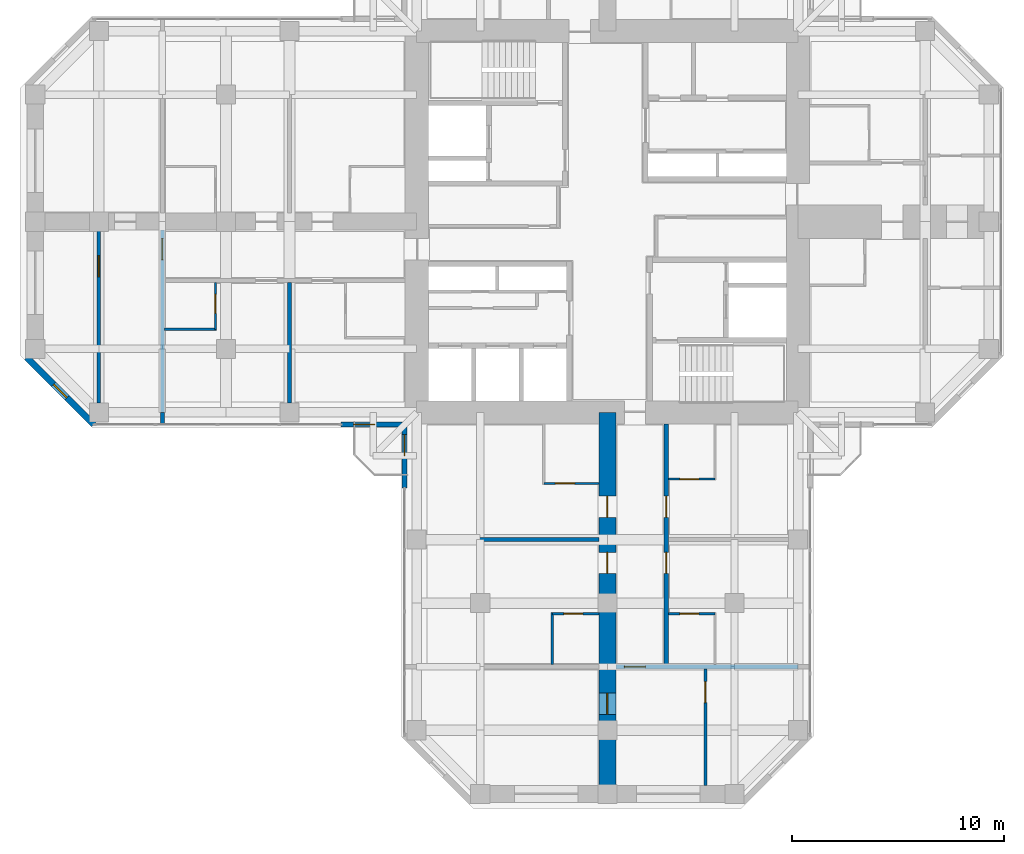
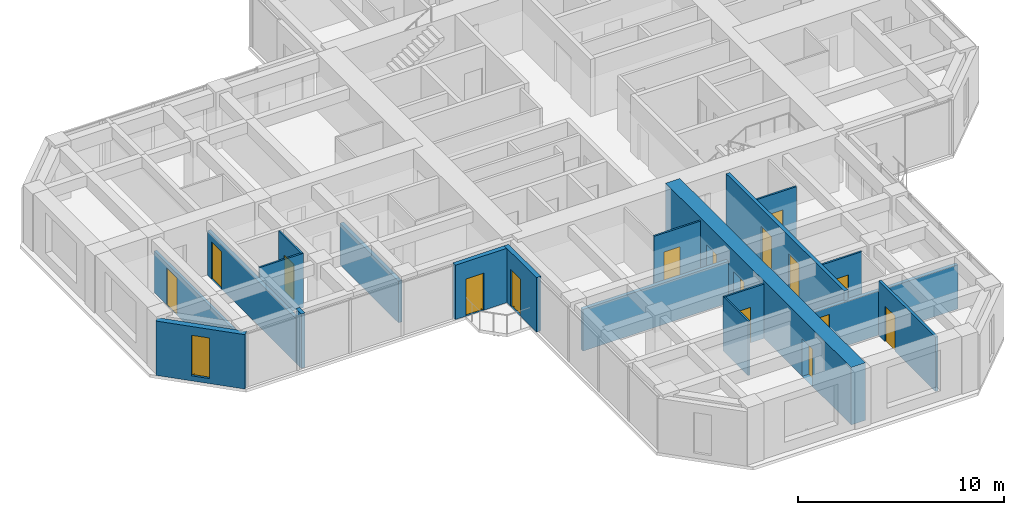
# One storey, part 8 of 14: 19 walls, 16 doors, 1 window, 17 openings.
"""IFC4 building model written with IfcOpenShell, lengths in metres."""

from ifc_helpers import new_model, si_unit, direction, frame, frame_2d, origin, place, context, subcontext, project, spatial, rectangle, hollow_rectangle, extrude, material, layer, layer_set, constituent, constituent_set, type_object, element, fill, save


model = new_model("IFC4")

# Units and contexts
model_context = context("Model", 3, precision=1e-05, world=origin(), true_north=direction((0.0, 1.0)))
body_context = subcontext(model_context, "Body", "Model", "MODEL_VIEW")
ifc_project = project(units=[si_unit("LENGTHUNIT", "METRE"), si_unit("AREAUNIT", "SQUARE_METRE"), si_unit("VOLUMEUNIT", "CUBIC_METRE"), si_unit("PLANEANGLEUNIT", "RADIAN"), si_unit("MASSUNIT", "GRAM", prefix="KILO")], contexts=[model_context])

# Site, building, storey
site_placement = place(None, origin())
site = spatial("IfcSite", under=ifc_project, at=site_placement, CompositionType="ELEMENT")
building_placement = place(site_placement, origin())
building = spatial("IfcBuilding", under=site, at=building_placement, Name="Torre Cruceta", CompositionType="ELEMENT")
storey_placement = place(building_placement, frame((0.0, 0.0, 172.89990234375)))
storey = spatial("IfcBuildingStorey", under=building, at=storey_placement, Name="L42", CompositionType="ELEMENT", Elevation=172.89990234375)

# Wall, opening, door
ifc_material_1 = material(Name="Water-resistant plasterboard on steel studs", Category="steel")
ifc_layer_1 = layer(ifc_material_1, 0.10009765625)
ifc_layer_set_1 = layer_set([ifc_layer_1], Name="Water-resistant plasterboard on steel studs")
wall_type_1 = type_object("IfcWallType", Name="BATHROOM WALL 100", PredefinedType="PARTITIONING", material=ifc_layer_set_1)
wall_1_placement = place(storey_placement, frame((2.875, -12.14990234375, 0.0), z_axis=(0.0, 0.0, 1.0), x_axis=(1.0, 0.0, 0.0)))
wall_1 = element("IfcWall", 1, at=wall_1_placement, inside=storey, type_object=wall_type_1, Name="PT4 L42-S-U1LBS", PredefinedType="PARTITIONING", context=body_context, shape_type="SweptSolid", body=[
    extrude(rectangle(XDim=2.199951171875, YDim=0.10009765625, at=frame_2d((1.10009765625, 0.0))), origin(), (0.0, 0.0, 1.0), 3.22021484375),
])
opening_1_placement = place(wall_1_placement, frame((0.550048828125, 0.0, 0.0)))
opening_1 = element("IfcOpeningElement", 2, at=opening_1_placement, cuts=wall_1, Name="Opening D7", PredefinedType="OPENING", context=body_context, shape_type="SweptSolid", body=[
    extrude(rectangle(XDim=0.89990234375, YDim=2.10009765625, at=frame_2d((0.449951171875, 1.050048828125))), frame((0.0, 0.06005859375, 0.0), z_axis=(0.0, -1.0, 0.0), x_axis=(1.0, 0.0, 0.0)), (0.0, 0.0, 1.0), 0.1201171875),
])
ifc_material_2 = material(Name="Timber door", Category="wood")
door_type_1 = type_object("IfcDoorType", Name="BATHROOM DOOR 900X2100", OperationType="SINGLE_SWING_LEFT", PredefinedType="DOOR", material=ifc_material_2)
door_1_placement = place(opening_1_placement, origin())
door_1 = element("IfcDoor", 3, at=door_1_placement, inside=storey, type_object=door_type_1, Name="D7 L42-S-U1LBS-D1", OperationType="SINGLE_SWING_LEFT", OverallHeight=2.10009765625, OverallWidth=0.89990234375, PredefinedType="DOOR", context=body_context, shape_type="SweptSolid", body=[
    extrude(rectangle(XDim=0.89990234375, YDim=2.10009765625, at=frame_2d((0.449951171875, 1.050048828125))), frame((0.0, 0.02490234375, 0.0), z_axis=(0.0, -1.0, 0.0), x_axis=(1.0, 0.0, 0.0)), (0.0, 0.0, 1.0), 0.050048828125),
])
fill(opening_1, door_1)

wall_2_placement = place(storey_placement, frame((-3.0, -12.35009765625, 0.0), z_axis=(0.0, 0.0, 1.0), x_axis=(1.0, 0.0, 0.0)))
wall_2 = element("IfcWall", 4, at=wall_2_placement, inside=storey, type_object=wall_type_1, Name="PT4 L42-S-U1RBS", PredefinedType="PARTITIONING", context=body_context, shape_type="SweptSolid", body=[
    extrude(rectangle(XDim=2.60009765625, YDim=0.10009765625, at=frame_2d((1.300048828125, 0.0))), origin(), (0.0, 0.0, 1.0), 3.22021484375),
])
opening_2_placement = place(wall_2_placement, frame((0.550048828125, 0.0, 0.0)))
opening_2 = element("IfcOpeningElement", 5, at=opening_2_placement, cuts=wall_2, Name="Opening D7", PredefinedType="OPENING", context=body_context, shape_type="SweptSolid", body=[
    extrude(rectangle(XDim=0.89990234375, YDim=2.10009765625, at=frame_2d((0.449951171875, 1.050048828125))), frame((0.0, 0.06005859375, 0.0), z_axis=(0.0, -1.0, 0.0), x_axis=(1.0, 0.0, 0.0)), (0.0, 0.0, 1.0), 0.1201171875),
])
door_2_placement = place(opening_2_placement, origin())
door_2 = element("IfcDoor", 6, at=door_2_placement, inside=storey, type_object=door_type_1, Name="D7 L42-S-U1RBS-D1", OperationType="SINGLE_SWING_LEFT", OverallHeight=2.10009765625, OverallWidth=0.89990234375, PredefinedType="DOOR", context=body_context, shape_type="SweptSolid", body=[
    extrude(rectangle(XDim=0.89990234375, YDim=2.10009765625, at=frame_2d((0.449951171875, 1.050048828125))), frame((0.0, 0.02490234375, 0.0), z_axis=(0.0, -1.0, 0.0), x_axis=(1.0, 0.0, 0.0)), (0.0, 0.0, 1.0), 0.050048828125),
])
fill(opening_2, door_2)

wall_3_placement = place(storey_placement, frame((2.875, -18.5, 0.0), z_axis=(0.0, 0.0, 1.0), x_axis=(1.0, 0.0, 0.0)))
wall_3 = element("IfcWall", 7, at=wall_3_placement, inside=storey, type_object=wall_type_1, Name="PT4 L42-S-U2LBS", PredefinedType="PARTITIONING", context=body_context, shape_type="SweptSolid", body=[
    extrude(rectangle(XDim=2.199951171875, YDim=0.10009765625, at=frame_2d((1.10009765625, 0.0))), origin(), (0.0, 0.0, 1.0), 3.22021484375),
])
opening_3_placement = place(wall_3_placement, frame((0.550048828125, 0.0, 0.0)))
opening_3 = element("IfcOpeningElement", 8, at=opening_3_placement, cuts=wall_3, Name="Opening D7", PredefinedType="OPENING", context=body_context, shape_type="SweptSolid", body=[
    extrude(rectangle(XDim=0.89990234375, YDim=2.10009765625, at=frame_2d((0.449951171875, 1.050048828125))), frame((0.0, 0.06005859375, 0.0), z_axis=(0.0, -1.0, 0.0), x_axis=(1.0, 0.0, 0.0)), (0.0, 0.0, 1.0), 0.1201171875),
])
door_3_placement = place(opening_3_placement, frame((0.89990234375, 0.0, 0.0), z_axis=(0.0, 0.0, 1.0), x_axis=(-1.0, 0.0, 0.0)))
door_3 = element("IfcDoor", 9, at=door_3_placement, inside=storey, type_object=door_type_1, Name="D7 L42-S-U2LBS-D1", OperationType="SINGLE_SWING_RIGHT", OverallHeight=2.10009765625, OverallWidth=0.89990234375, PredefinedType="DOOR", context=body_context, shape_type="SweptSolid", body=[
    extrude(rectangle(XDim=0.89990234375, YDim=2.10009765625, at=frame_2d((0.449951171875, 1.050048828125))), frame((0.0, 0.025146484375, 0.0), z_axis=(0.0, -1.0, 0.0), x_axis=(1.0, 0.0, 0.0)), (0.0, 0.0, 1.0), 0.050048828125),
])
fill(opening_3, door_3)

# Wall
wall_4_placement = place(storey_placement, frame((-2.60009765625, -18.449951171875, 0.0), z_axis=(0.0, 0.0, 1.0), x_axis=(0.0, -1.0, 0.0)))
element("IfcWall", 10, at=wall_4_placement, inside=storey, type_object=wall_type_1, Name="PT4 L42-S-U2RBB", PredefinedType="PARTITIONING", context=body_context, shape_type="SweptSolid", body=[
    extrude(rectangle(XDim=2.449951171875, YDim=0.10009765625, at=frame_2d((1.22509765625, 0.0))), origin(), (0.0, 0.0, 1.0), 3.22021484375),
])

# Wall, opening, door
wall_5_placement = place(storey_placement, frame((-2.60009765625, -18.5, 0.0), z_axis=(0.0, 0.0, 1.0), x_axis=(1.0, 0.0, 0.0)))
wall_5 = element("IfcWall", 11, at=wall_5_placement, inside=storey, type_object=wall_type_1, Name="PT4 L42-S-U2RBS", PredefinedType="PARTITIONING", context=body_context, shape_type="SweptSolid", body=[
    extrude(rectangle(XDim=2.2001953125, YDim=0.10009765625, at=frame_2d((1.10009765625, 0.0))), origin(), (0.0, 0.0, 1.0), 3.22021484375),
])
opening_4_placement = place(wall_5_placement, frame((0.550048828125, 0.0, 0.0)))
opening_4 = element("IfcOpeningElement", 12, at=opening_4_placement, cuts=wall_5, Name="Opening D7", PredefinedType="OPENING", context=body_context, shape_type="SweptSolid", body=[
    extrude(rectangle(XDim=0.89990234375, YDim=2.10009765625, at=frame_2d((0.449951171875, 1.050048828125))), frame((0.0, 0.06005859375, 0.0), z_axis=(0.0, -1.0, 0.0), x_axis=(1.0, 0.0, 0.0)), (0.0, 0.0, 1.0), 0.1201171875),
])
door_4_placement = place(opening_4_placement, frame((0.89990234375, 0.0, 0.0), z_axis=(0.0, 0.0, 1.0), x_axis=(-1.0, 0.0, 0.0)))
door_4 = element("IfcDoor", 13, at=door_4_placement, inside=storey, type_object=door_type_1, Name="D7 L42-S-U2RBS-D1", OperationType="SINGLE_SWING_RIGHT", OverallHeight=2.10009765625, OverallWidth=0.89990234375, PredefinedType="DOOR", context=body_context, shape_type="SweptSolid", body=[
    extrude(rectangle(XDim=0.89990234375, YDim=2.10009765625, at=frame_2d((0.449951171875, 1.050048828125))), frame((0.0, 0.025146484375, 0.0), z_axis=(0.0, -1.0, 0.0), x_axis=(1.0, 0.0, 0.0)), (0.0, 0.0, 1.0), 0.050048828125),
])
fill(opening_4, door_4)

# Wall
wall_6_placement = place(storey_placement, frame((-18.449951171875, -5.074951171875, 0.0), z_axis=(0.0, 0.0, 1.0), x_axis=(-1.0, 0.0, 0.0)))
element("IfcWall", 14, at=wall_6_placement, inside=storey, type_object=wall_type_1, Name="PT4 L42-W-U2LBB", PredefinedType="PARTITIONING", context=body_context, shape_type="SweptSolid", body=[
    extrude(rectangle(XDim=2.449951171875, YDim=0.10009765625, at=frame_2d((1.22509765625, 0.0))), origin(), (0.0, 0.0, 1.0), 3.22021484375),
])

# Wall, opening, door
wall_7_placement = place(storey_placement, frame((-18.5, -2.875, 0.0), z_axis=(0.0, 0.0, 1.0), x_axis=(0.0, -1.0, 0.0)))
wall_7 = element("IfcWall", 15, at=wall_7_placement, inside=storey, type_object=wall_type_1, Name="PT4 L42-W-U2LBS", PredefinedType="PARTITIONING", context=body_context, shape_type="SweptSolid", body=[
    extrude(rectangle(XDim=2.199951171875, YDim=0.10009765625, at=frame_2d((1.10009765625, 0.0))), origin(), (0.0, 0.0, 1.0), 3.22021484375),
])
opening_5_placement = place(wall_7_placement, frame((0.550048828125, 0.0, 0.0)))
opening_5 = element("IfcOpeningElement", 16, at=opening_5_placement, cuts=wall_7, Name="Opening D7", PredefinedType="OPENING", context=body_context, shape_type="SweptSolid", body=[
    extrude(rectangle(XDim=0.89990234375, YDim=2.10009765625, at=frame_2d((0.449951171875, 1.050048828125))), frame((0.0, 0.06005859375, 0.0), z_axis=(0.0, -1.0, 0.0), x_axis=(1.0, 0.0, 0.0)), (0.0, 0.0, 1.0), 0.1201171875),
])
door_5_placement = place(opening_5_placement, frame((0.89990234375, 0.0, 0.0), z_axis=(0.0, 0.0, 1.0), x_axis=(-1.0, 0.0, 0.0)))
door_5 = element("IfcDoor", 17, at=door_5_placement, inside=storey, type_object=door_type_1, Name="D7 L42-W-U2LBS-D1", OperationType="SINGLE_SWING_RIGHT", OverallHeight=2.10009765625, OverallWidth=0.89990234375, PredefinedType="DOOR", context=body_context, shape_type="SweptSolid", body=[
    extrude(rectangle(XDim=0.89990234375, YDim=2.10009765625, at=frame_2d((0.449951171875, 1.050048828125))), frame((0.0, 0.025146484375, 0.0), z_axis=(0.0, -1.0, 0.0), x_axis=(1.0, 0.0, 0.0)), (0.0, 0.0, 1.0), 0.050048828125),
])
fill(opening_5, door_5)

# Wall, openings, doors
ifc_material_3 = material(Name="Concrete G25 (fck 25 MPa)", Category="concrete")
ifc_layer_2 = layer(ifc_material_3, 0.199951171875)
ifc_layer_set_2 = layer_set([ifc_layer_2], Name="Concrete G25 (fck 25 MPa)")
wall_type_2 = type_object("IfcWallType", Name="CORRIDOR WALL 200", PredefinedType="SOLIDWALL", material=ifc_layer_set_2)
wall_8_placement = place(storey_placement, frame((2.77490234375, -9.550048828125, 0.0), z_axis=(0.0, 0.0, 1.0), x_axis=(0.0, -1.0, 0.0)))
wall_8 = element("IfcWall", 18, at=wall_8_placement, inside=storey, type_object=wall_type_2, Name="PT3 L42-S-CL", PredefinedType="SOLIDWALL", context=body_context, shape_type="SweptSolid", body=[
    extrude(rectangle(XDim=11.449951171875, YDim=0.199951171875, at=frame_2d((5.72509765625, 0.0))), origin(), (0.0, 0.0, 1.0), 3.22021484375),
])
opening_6_placement = place(wall_8_placement, frame((3.39990234375, 0.0, 0.0)))
opening_6 = element("IfcOpeningElement", 19, at=opening_6_placement, cuts=wall_8, Name="Opening D6", PredefinedType="OPENING", context=body_context, shape_type="SweptSolid", body=[
    extrude(rectangle(XDim=1.0, YDim=2.14990234375, at=frame_2d((0.5, 1.074951171875))), frame((0.0, 0.10986328125, 0.0), z_axis=(0.0, -1.0, 0.0), x_axis=(1.0, 0.0, 0.0)), (0.0, 0.0, 1.0), 0.219970703125),
])
opening_7_placement = place(wall_8_placement, frame((6.050048828125, 0.0, 0.0)))
opening_7 = element("IfcOpeningElement", 20, at=opening_7_placement, cuts=wall_8, Name="Opening D6", PredefinedType="OPENING", context=body_context, shape_type="SweptSolid", body=[
    extrude(rectangle(XDim=1.0, YDim=2.14990234375, at=frame_2d((0.5, 1.074951171875))), frame((0.0, 0.10986328125, 0.0), z_axis=(0.0, -1.0, 0.0), x_axis=(1.0, 0.0, 0.0)), (0.0, 0.0, 1.0), 0.219970703125),
])
ifc_material_4 = material(Name="Timber fire door", Category="wood")
door_type_2 = type_object("IfcDoorType", Name="UNIT ENTRANCE DOOR 1000X2150", OperationType="SINGLE_SWING_LEFT", PredefinedType="DOOR", material=ifc_material_4)
door_6_placement = place(opening_6_placement, origin())
door_6 = element("IfcDoor", 21, at=door_6_placement, inside=storey, type_object=door_type_2, Name="D6 L42-S-CL-D1", OperationType="SINGLE_SWING_LEFT", OverallHeight=2.14990234375, OverallWidth=1.0, PredefinedType="DOOR", context=body_context, shape_type="SweptSolid", body=[
    extrude(rectangle(XDim=1.0, YDim=2.14990234375, at=frame_2d((0.5, 1.074951171875))), frame((0.0, 0.02490234375, 0.0), z_axis=(0.0, -1.0, 0.0), x_axis=(1.0, 0.0, 0.0)), (0.0, 0.0, 1.0), 0.050048828125),
])
fill(opening_6, door_6)
door_7_placement = place(opening_7_placement, origin())
door_7 = element("IfcDoor", 22, at=door_7_placement, inside=storey, type_object=door_type_2, Name="D6 L42-S-CL-D2", OperationType="SINGLE_SWING_LEFT", OverallHeight=2.14990234375, OverallWidth=1.0, PredefinedType="DOOR", context=body_context, shape_type="SweptSolid", body=[
    extrude(rectangle(XDim=1.0, YDim=2.14990234375, at=frame_2d((0.5, 1.074951171875))), frame((0.0, 0.02490234375, 0.0), z_axis=(0.0, -1.0, 0.0), x_axis=(1.0, 0.0, 0.0)), (0.0, 0.0, 1.0), 0.050048828125),
])
fill(opening_7, door_7)

# Wall, opening, window
ifc_material_5 = material(Name="Concrete G30 (fck 30 MPa)", Category="concrete")
ifc_layer_3 = layer(ifc_material_5, 0.300048828125)
ifc_layer_set_3 = layer_set([ifc_layer_3], Name="Concrete G30 (fck 30 MPa)")
wall_type_3 = type_object("IfcWallType", Name="EXPOSED CONCRETE FACADE WALL 300", PredefinedType="SOLIDWALL", material=ifc_layer_set_3)
wall_9_placement = place(storey_placement, frame((-27.39990234375, -6.406005859375, 0.0), z_axis=(0.0, 0.0, 1.0), x_axis=(0.707079499254, -0.707134062067, 0.0)))
wall_9 = element("IfcWall", 23, at=wall_9_placement, inside=storey, type_object=wall_type_3, Name="EW1 facade wall L42 W chamfer 13", PredefinedType="SOLIDWALL", context=body_context, shape_type="SweptSolid", body=[
    extrude(rectangle(XDim=4.474609375, YDim=0.300048828125, at=frame_2d((2.2373046875, 0.0))), origin(), (0.0, 0.0, 1.0), 3.22021484375),
])
opening_8_placement = place(wall_9_placement, frame((1.787109375, 0.0, 0.300048828125)))
opening_8 = element("IfcOpeningElement", 24, at=opening_8_placement, cuts=wall_9, Name="Opening WN5", PredefinedType="OPENING", context=body_context, shape_type="SweptSolid", body=[
    extrude(rectangle(XDim=0.89990234375, YDim=2.39990234375, at=frame_2d((0.449951171875, 1.199951171875))), frame((0.0, 0.159912109375, 0.0), z_axis=(0.0, -1.0, 0.0), x_axis=(1.0, 0.0, 0.0)), (0.0, 0.0, 1.0), 0.320068359375),
])
ifc_material_6 = material(Name="Aluminium window frame", Category="aluminium")
ifc_constituent_1 = constituent(ifc_material_6, Name="Frame")
ifc_material_7 = material(Name="Laminated insulating glass unit, low-iron clear", Category="glass")
ifc_constituent_2 = constituent(ifc_material_7, Name="Glazing")
ifc_constituent_set_1 = constituent_set(constituents=[ifc_constituent_1, ifc_constituent_2], Name="Aluminium window")
window_type = type_object("IfcWindowType", Name="CHAMFER SLOT WINDOW 900X2400", PartitioningType="SINGLE_PANEL", PredefinedType="WINDOW", material=ifc_constituent_set_1)
window_placement = place(opening_8_placement, origin())
window = element("IfcWindow", 25, at=window_placement, inside=storey, type_object=window_type, Name="WN5 L42 W 1", OverallHeight=2.39990234375, OverallWidth=0.89990234375, PartitioningType="SINGLE_PANEL", PredefinedType="WINDOW", context=body_context, shape_type="SweptSolid", body=[
    extrude(hollow_rectangle(XDim=0.89990234375, YDim=2.39990234375, WallThickness=0.06005859375, at=frame_2d((0.449951171875, 1.199951171875))), frame((0.0, 0.030029296875, 0.0), z_axis=(0.0, -1.0, 0.0), x_axis=(1.0, 0.0, 0.0)), (0.0, 0.0, 1.0), 0.06005859375),
    extrude(rectangle(XDim=0.77880859375, YDim=2.27880859375, at=frame_2d((0.449951171875, 1.199951171875))), frame((0.0, 0.030029296875, 0.0), z_axis=(0.0, -1.0, 0.0), x_axis=(1.0, 0.0, 0.0)), (0.0, 0.0, 1.0), 0.06005859375),
])
fill(opening_8, window)

# Wall, opening, door
ifc_material_8 = material(Name="Plasterboard on steel studs", Category="steel")
ifc_layer_4 = layer(ifc_material_8, 0.14990234375)
ifc_layer_set_4 = layer_set([ifc_layer_4], Name="Plasterboard on steel studs")
wall_type_4 = type_object("IfcWallType", Name="PARTITION 150", PredefinedType="PARTITIONING", material=ifc_layer_set_4)
wall_10_placement = place(storey_placement, frame((4.625, -21.10009765625, 0.0), z_axis=(0.0, 0.0, 1.0), x_axis=(0.0, -1.0, 0.0)))
wall_10 = element("IfcWall", 26, at=wall_10_placement, inside=storey, type_object=wall_type_4, Name="PT1 L42-S-ENDX", PredefinedType="PARTITIONING", context=body_context, shape_type="SweptSolid", body=[
    extrude(rectangle(XDim=5.5, YDim=0.14990234375, at=frame_2d((2.75, 0.0))), origin(), (0.0, 0.0, 1.0), 3.22021484375),
])
opening_9_placement = place(wall_10_placement, frame((0.60009765625, 0.0, 0.0)))
opening_9 = element("IfcOpeningElement", 27, at=opening_9_placement, cuts=wall_10, Name="Opening D3", PredefinedType="OPENING", context=body_context, shape_type="SweptSolid", body=[
    extrude(rectangle(XDim=1.0, YDim=2.10009765625, at=frame_2d((0.5, 1.050048828125))), frame((0.0, 0.0849609375, 0.0), z_axis=(0.0, -1.0, 0.0), x_axis=(1.0, 0.0, 0.0)), (0.0, 0.0, 1.0), 0.169921875),
])
ifc_material_9 = material(Name="Steel DX51D", Category="steel")
ifc_constituent_3 = constituent(ifc_material_9, Name="Leaf and frame")
ifc_material_10 = material(Name="Polyester powder coating", Category="paint")
ifc_constituent_4 = constituent(ifc_material_10, Name="Finish")
ifc_constituent_set_2 = constituent_set(constituents=[ifc_constituent_3, ifc_constituent_4], Name="Steel fire door")
door_type_3 = type_object("IfcDoorType", Name="FIRE DOOR 1000X2100", OperationType="SINGLE_SWING_LEFT", PredefinedType="DOOR", material=ifc_constituent_set_2)
door_8_placement = place(opening_9_placement, origin())
door_8 = element("IfcDoor", 28, at=door_8_placement, inside=storey, type_object=door_type_3, Name="D3 L42-S-ENDX-D1", OperationType="SINGLE_SWING_LEFT", OverallHeight=2.10009765625, OverallWidth=1.0, PredefinedType="DOOR", context=body_context, shape_type="SweptSolid", body=[
    extrude(rectangle(XDim=1.0, YDim=2.10009765625, at=frame_2d((0.5, 1.050048828125))), frame((0.0, 0.02490234375, 0.0), z_axis=(0.0, -1.0, 0.0), x_axis=(1.0, 0.0, 0.0)), (0.0, 0.0, 1.0), 0.050048828125),
])
fill(opening_9, door_8)

wall_11_placement = place(storey_placement, frame((-24.0, -0.39990234375, 0.0), z_axis=(0.0, 0.0, 1.0), x_axis=(0.0, -1.0, 0.0)))
wall_11 = element("IfcWall", 29, at=wall_11_placement, inside=storey, type_object=wall_type_4, Name="PT1 L42-W-ENDX", PredefinedType="PARTITIONING", context=body_context, shape_type="SweptSolid", body=[
    extrude(rectangle(XDim=8.150146484375, YDim=0.14990234375, at=frame_2d((4.0751953125, 0.0))), origin(), (0.0, 0.0, 1.0), 2.47021484375),
])
opening_10_placement = place(wall_11_placement, frame((1.199951171875, 0.0, 0.0)))
opening_10 = element("IfcOpeningElement", 30, at=opening_10_placement, cuts=wall_11, Name="Opening D14", PredefinedType="OPENING", context=body_context, shape_type="SweptSolid", body=[
    extrude(rectangle(XDim=1.0, YDim=2.199951171875, at=frame_2d((0.5, 1.10009765625))), frame((0.0, 0.0849609375, 0.0), z_axis=(0.0, -1.0, 0.0), x_axis=(1.0, 0.0, 0.0)), (0.0, 0.0, 1.0), 0.169921875),
])
ifc_material_11 = material(Name="Steel DX51D", Category="steel")
ifc_constituent_5 = constituent(ifc_material_11, Name="Leaf and frame")
ifc_material_12 = material(Name="Polyester powder coating", Category="paint")
ifc_constituent_6 = constituent(ifc_material_12, Name="Finish")
ifc_material_13 = material(Name="Fire-resisting glass", Category="glass")
ifc_constituent_7 = constituent(ifc_material_13, Name="Vision panel")
ifc_constituent_set_3 = constituent_set(constituents=[ifc_constituent_5, ifc_constituent_6, ifc_constituent_7], Name="Steel fire door with vision panel")
door_type_4 = type_object("IfcDoorType", Name="FIRE DOOR VISION PANEL 1000X2200", OperationType="SINGLE_SWING_RIGHT", PredefinedType="DOOR", material=ifc_constituent_set_3)
door_9_placement = place(opening_10_placement, frame((1.0, 0.0, 0.0), z_axis=(0.0, 0.0, 1.0), x_axis=(-1.0, 0.0, 0.0)))
door_9 = element("IfcDoor", 31, at=door_9_placement, inside=storey, type_object=door_type_4, Name="D14 L42-W-ENDX-D1", OperationType="SINGLE_SWING_RIGHT", OverallHeight=2.199951171875, OverallWidth=1.0, PredefinedType="DOOR", context=body_context, shape_type="SweptSolid", body=[
    extrude(rectangle(XDim=1.0, YDim=2.199951171875, at=frame_2d((0.5, 1.10009765625))), frame((0.0, 0.025146484375, 0.0), z_axis=(0.0, -1.0, 0.0), x_axis=(1.0, 0.0, 0.0)), (0.0, 0.0, 1.0), 0.050048828125),
])
fill(opening_10, door_9)

# Wall, openings, doors
ifc_material_14 = material(Name="Concrete G60 (fck 60 MPa)", Category="concrete")
ifc_layer_5 = layer(ifc_material_14, 0.800048828125)
ifc_layer_set_5 = layer_set([ifc_layer_5], Name="Concrete G60 (fck 60 MPa)")
wall_type_5 = type_object("IfcWallType", Name="SPINE WALL 800 G60", PredefinedType="SHEAR", material=ifc_layer_set_5)
wall_12_placement = place(storey_placement, frame((0.0, -9.0, 0.0), z_axis=(0.0, 0.0, 1.0), x_axis=(0.0, -1.0, 0.0)))
wall_12 = element("IfcWall", 32, at=wall_12_placement, inside=storey, type_object=wall_type_5, Name="SW4 spine wall L42 S", PredefinedType="SHEAR", context=body_context, shape_type="SweptSolid", body=[
    extrude(rectangle(XDim=18.0, YDim=0.800048828125, at=frame_2d((9.0, 0.0))), origin(), (0.0, 0.0, 1.0), 3.400146484375),
])
opening_11_placement = place(wall_12_placement, frame((3.949951171875, 0.0, 0.0)))
opening_11 = element("IfcOpeningElement", 33, at=opening_11_placement, cuts=wall_12, Name="Opening D6", PredefinedType="OPENING", context=body_context, shape_type="SweptSolid", body=[
    extrude(rectangle(XDim=1.0, YDim=2.14990234375, at=frame_2d((0.5, 1.074951171875))), frame((0.0, 0.409912109375, 0.0), z_axis=(0.0, -1.0, 0.0), x_axis=(1.0, 0.0, 0.0)), (0.0, 0.0, 1.0), 0.820068359375),
])
opening_12_placement = place(wall_12_placement, frame((6.60009765625, 0.0, 0.0)))
opening_12 = element("IfcOpeningElement", 34, at=opening_12_placement, cuts=wall_12, Name="Opening D6", PredefinedType="OPENING", context=body_context, shape_type="SweptSolid", body=[
    extrude(rectangle(XDim=1.0, YDim=2.14990234375, at=frame_2d((0.5, 1.074951171875))), frame((0.0, 0.409912109375, 0.0), z_axis=(0.0, -1.0, 0.0), x_axis=(1.0, 0.0, 0.0)), (0.0, 0.0, 1.0), 0.820068359375),
])
opening_13_placement = place(wall_12_placement, frame((13.25, 0.0, 0.0)))
opening_13 = element("IfcOpeningElement", 35, at=opening_13_placement, cuts=wall_12, Name="Opening D14", PredefinedType="OPENING", context=body_context, shape_type="SweptSolid", body=[
    extrude(rectangle(XDim=1.0, YDim=2.199951171875, at=frame_2d((0.5, 1.10009765625))), frame((0.0, 0.409912109375, 0.0), z_axis=(0.0, -1.0, 0.0), x_axis=(1.0, 0.0, 0.0)), (0.0, 0.0, 1.0), 0.820068359375),
])
door_10_placement = place(opening_13_placement, origin())
door_10 = element("IfcDoor", 36, at=door_10_placement, inside=storey, type_object=door_type_4, Name="D14 L42-S-SP3", OperationType="SINGLE_SWING_LEFT", OverallHeight=2.199951171875, OverallWidth=1.0, PredefinedType="DOOR", context=body_context, shape_type="SweptSolid", body=[
    extrude(rectangle(XDim=1.0, YDim=2.199951171875, at=frame_2d((0.5, 1.10009765625))), frame((0.0, 0.02490234375, 0.0), z_axis=(0.0, -1.0, 0.0), x_axis=(1.0, 0.0, 0.0)), (0.0, 0.0, 1.0), 0.050048828125),
])
fill(opening_13, door_10)
door_11_placement = place(opening_11_placement, frame((1.0, 0.0, 0.0), z_axis=(0.0, 0.0, 1.0), x_axis=(-1.0, 0.0, 0.0)))
door_11 = element("IfcDoor", 37, at=door_11_placement, inside=storey, type_object=door_type_2, Name="D6 L42-S-SP1", OperationType="SINGLE_SWING_RIGHT", OverallHeight=2.14990234375, OverallWidth=1.0, PredefinedType="DOOR", context=body_context, shape_type="SweptSolid", body=[
    extrude(rectangle(XDim=1.0, YDim=2.14990234375, at=frame_2d((0.5, 1.074951171875))), frame((0.0, 0.025146484375, 0.0), z_axis=(0.0, -1.0, 0.0), x_axis=(1.0, 0.0, 0.0)), (0.0, 0.0, 1.0), 0.050048828125),
])
fill(opening_11, door_11)
door_12_placement = place(opening_12_placement, frame((1.0, 0.0, 0.0), z_axis=(0.0, 0.0, 1.0), x_axis=(-1.0, 0.0, 0.0)))
door_12 = element("IfcDoor", 38, at=door_12_placement, inside=storey, type_object=door_type_2, Name="D6 L42-S-SP2", OperationType="SINGLE_SWING_RIGHT", OverallHeight=2.14990234375, OverallWidth=1.0, PredefinedType="DOOR", context=body_context, shape_type="SweptSolid", body=[
    extrude(rectangle(XDim=1.0, YDim=2.14990234375, at=frame_2d((0.5, 1.074951171875))), frame((0.0, 0.025146484375, 0.0), z_axis=(0.0, -1.0, 0.0), x_axis=(1.0, 0.0, 0.0)), (0.0, 0.0, 1.0), 0.050048828125),
])
fill(opening_12, door_12)

# Wall
ifc_material_15 = material(Name="Concrete G25 (fck 25 MPa)", Category="concrete")
ifc_layer_6 = layer(ifc_material_15, 0.199951171875)
ifc_layer_set_6 = layer_set([ifc_layer_6], Name="Concrete G25 (fck 25 MPa)")
wall_type_6 = type_object("IfcWallType", Name="UNIT SEPARATING WALL 200", PredefinedType="SOLIDWALL", material=ifc_layer_set_6)
wall_13_placement = place(storey_placement, frame((-8.550048828125, -15.0, 0.0), z_axis=(0.0, 0.0, 1.0), x_axis=(1.0, 0.0, 0.0)))
element("IfcWall", 39, at=wall_13_placement, inside=storey, type_object=wall_type_6, Name="PT2 L42-S-P1R", PredefinedType="SOLIDWALL", context=body_context, shape_type="SweptSolid", body=[
    extrude(rectangle(XDim=8.150146484375, YDim=0.199951171875, at=frame_2d((4.0751953125, 0.0))), origin(), (0.0, 0.0, 1.0), 2.47021484375),
])

# Wall, opening, door
wall_14_placement = place(storey_placement, frame((0.39990234375, -21.0, 0.0), z_axis=(0.0, 0.0, 1.0), x_axis=(1.0, 0.0, 0.0)))
wall_14 = element("IfcWall", 40, at=wall_14_placement, inside=storey, type_object=wall_type_6, Name="PT2 L42-S-ENDb", PredefinedType="SOLIDWALL", context=body_context, shape_type="SweptSolid", body=[
    extrude(rectangle(XDim=8.60009765625, YDim=0.199951171875, at=frame_2d((4.300048828125, 0.0))), origin(), (0.0, 0.0, 1.0), 2.6201171875),
])
opening_14_placement = place(wall_14_placement, frame((0.39990234375, 0.0, 0.0)))
opening_14 = element("IfcOpeningElement", 41, at=opening_14_placement, cuts=wall_14, Name="Opening D14", PredefinedType="OPENING", context=body_context, shape_type="SweptSolid", body=[
    extrude(rectangle(XDim=1.0, YDim=2.199951171875, at=frame_2d((0.5, 1.10009765625))), frame((0.0, 0.10986328125, 0.0), z_axis=(0.0, -1.0, 0.0), x_axis=(1.0, 0.0, 0.0)), (0.0, 0.0, 1.0), 0.219970703125),
])
door_13_placement = place(opening_14_placement, frame((1.0, 0.0, 0.0), z_axis=(0.0, 0.0, 1.0), x_axis=(-1.0, 0.0, 0.0)))
door_13 = element("IfcDoor", 42, at=door_13_placement, inside=storey, type_object=door_type_4, Name="D14 L42-S-ENDb-D1", OperationType="SINGLE_SWING_RIGHT", OverallHeight=2.199951171875, OverallWidth=1.0, PredefinedType="DOOR", context=body_context, shape_type="SweptSolid", body=[
    extrude(rectangle(XDim=1.0, YDim=2.199951171875, at=frame_2d((0.5, 1.10009765625))), frame((0.0, 0.025146484375, 0.0), z_axis=(0.0, -1.0, 0.0), x_axis=(1.0, 0.0, 0.0)), (0.0, 0.0, 1.0), 0.050048828125),
])
fill(opening_14, door_13)

# Wall
wall_15_placement = place(storey_placement, frame((-15.0, -2.875, 0.0), z_axis=(0.0, 0.0, 1.0), x_axis=(0.0, -1.0, 0.0)))
element("IfcWall", 43, at=wall_15_placement, inside=storey, type_object=wall_type_6, Name="PT2 L42-W-P1L", PredefinedType="SOLIDWALL", context=body_context, shape_type="SweptSolid", body=[
    extrude(rectangle(XDim=5.675048828125, YDim=0.199951171875, at=frame_2d((2.83740234375, 0.0))), origin(), (0.0, 0.0, 1.0), 2.47021484375),
])

# Wall, opening, door
wall_16_placement = place(storey_placement, frame((-21.0, -0.39990234375, 0.0), z_axis=(0.0, 0.0, 1.0), x_axis=(0.0, -1.0, 0.0)))
wall_16 = element("IfcWall", 44, at=wall_16_placement, inside=storey, type_object=wall_type_6, Name="PT2 L42-W-ENDb", PredefinedType="SOLIDWALL", context=body_context, shape_type="SweptSolid", body=[
    extrude(rectangle(XDim=8.60009765625, YDim=0.199951171875, at=frame_2d((4.300048828125, 0.0))), origin(), (0.0, 0.0, 1.0), 2.6201171875),
])
opening_15_placement = place(wall_16_placement, frame((0.39990234375, 0.0, 0.0)))
opening_15 = element("IfcOpeningElement", 45, at=opening_15_placement, cuts=wall_16, Name="Opening D14", PredefinedType="OPENING", context=body_context, shape_type="SweptSolid", body=[
    extrude(rectangle(XDim=1.0, YDim=2.199951171875, at=frame_2d((0.5, 1.10009765625))), frame((0.0, 0.10986328125, 0.0), z_axis=(0.0, -1.0, 0.0), x_axis=(1.0, 0.0, 0.0)), (0.0, 0.0, 1.0), 0.219970703125),
])
door_14_placement = place(opening_15_placement, frame((1.0, 0.0, 0.0), z_axis=(0.0, 0.0, 1.0), x_axis=(-1.0, 0.0, 0.0)))
door_14 = element("IfcDoor", 46, at=door_14_placement, inside=storey, type_object=door_type_4, Name="D14 L42-W-ENDb-D1", OperationType="SINGLE_SWING_RIGHT", OverallHeight=2.199951171875, OverallWidth=1.0, PredefinedType="DOOR", context=body_context, shape_type="SweptSolid", body=[
    extrude(rectangle(XDim=1.0, YDim=2.199951171875, at=frame_2d((0.5, 1.10009765625))), frame((0.0, 0.025146484375, 0.0), z_axis=(0.0, -1.0, 0.0), x_axis=(1.0, 0.0, 0.0)), (0.0, 0.0, 1.0), 0.050048828125),
])
fill(opening_15, door_14)

# Wall
wall_17_placement = place(storey_placement, frame((-21.0, -9.0, 0.0), z_axis=(0.0, 0.0, 1.0), x_axis=(0.0, -1.0, 0.0)))
element("IfcWall", 47, at=wall_17_placement, inside=storey, type_object=wall_type_6, Name="PT2 L42-W-ENDb 2", PredefinedType="SOLIDWALL", context=body_context, shape_type="SweptSolid", body=[
    extrude(rectangle(XDim=0.530029296875, YDim=0.199951171875, at=frame_2d((0.26513671875, 0.0))), origin(), (0.0, 0.0, 1.0), 3.22021484375),
])

# Wall, opening, door
ifc_material_16 = material(Name="Concrete G30 (fck 30 MPa)", Category="concrete")
ifc_layer_7 = layer(ifc_material_16, 0.25)
ifc_layer_set_7 = layer_set([ifc_layer_7], Name="Concrete G30 (fck 30 MPa)")
wall_type_7 = type_object("IfcWallType", Name="WINTER GARDEN WALL 250", PredefinedType="SOLIDWALL", material=ifc_layer_set_7)
wall_18_placement = place(storey_placement, frame((-12.570068359375, -9.570068359375, 0.0), z_axis=(0.0, 0.0, 1.0), x_axis=(1.0, 0.0, 0.0)))
wall_18 = element("IfcWall", 48, at=wall_18_placement, inside=storey, type_object=wall_type_7, Name="EW2 winter garden wall L42 14", PredefinedType="SOLIDWALL", context=body_context, shape_type="SweptSolid", body=[
    extrude(rectangle(XDim=2.875, YDim=0.25, at=frame_2d((1.4375, 0.0))), origin(), (0.0, 0.0, 1.0), 3.22021484375),
])
opening_16_placement = place(wall_18_placement, frame((0.60009765625, 0.0, 0.0)))
opening_16 = element("IfcOpeningElement", 49, at=opening_16_placement, cuts=wall_18, Name="Opening D10", PredefinedType="OPENING", context=body_context, shape_type="SweptSolid", body=[
    extrude(rectangle(XDim=1.0, YDim=2.199951171875, at=frame_2d((0.5, 1.10009765625))), frame((0.0, 0.135009765625, 0.0), z_axis=(0.0, -1.0, 0.0), x_axis=(1.0, 0.0, 0.0)), (0.0, 0.0, 1.0), 0.27001953125),
])
ifc_material_17 = material(Name="Aluminium door frame", Category="aluminium")
ifc_constituent_8 = constituent(ifc_material_17, Name="Frame")
ifc_material_18 = material(Name="Laminated safety glass", Category="glass")
ifc_constituent_9 = constituent(ifc_material_18, Name="Glazing")
ifc_constituent_set_4 = constituent_set(constituents=[ifc_constituent_8, ifc_constituent_9], Name="Aluminium glazed door")
door_type_5 = type_object("IfcDoorType", Name="BALCONY DOOR 1000X2200", OperationType="SINGLE_SWING_RIGHT", PredefinedType="DOOR", material=ifc_constituent_set_4)
door_15_placement = place(opening_16_placement, origin())
door_15 = element("IfcDoor", 50, at=door_15_placement, inside=storey, type_object=door_type_5, Name="D10 balcony door L42 14", OperationType="SINGLE_SWING_RIGHT", OverallHeight=2.199951171875, OverallWidth=1.0, PredefinedType="DOOR", context=body_context, shape_type="SweptSolid", body=[
    extrude(hollow_rectangle(XDim=1.0, YDim=2.199951171875, WallThickness=0.06005859375, at=frame_2d((0.5, 1.10009765625))), frame((0.0, 0.02490234375, 0.0), z_axis=(0.0, -1.0, 0.0), x_axis=(1.0, 0.0, 0.0)), (0.0, 0.0, 1.0), 0.050048828125),
    extrude(rectangle(XDim=0.87890625, YDim=2.078857421875, at=frame_2d((0.5, 1.10009765625))), frame((0.0, 0.02490234375, 0.0), z_axis=(0.0, -1.0, 0.0), x_axis=(1.0, 0.0, 0.0)), (0.0, 0.0, 1.0), 0.050048828125),
])
fill(opening_16, door_15)

wall_19_placement = place(storey_placement, frame((-9.570068359375, -9.445068359375, 0.0), z_axis=(0.0, 0.0, 1.0), x_axis=(0.0, -1.0, 0.0)))
wall_19 = element("IfcWall", 51, at=wall_19_placement, inside=storey, type_object=wall_type_7, Name="EW2 winter garden wall L42 15", PredefinedType="SOLIDWALL", context=body_context, shape_type="SweptSolid", body=[
    extrude(rectangle(XDim=3.125, YDim=0.25, at=frame_2d((1.5625, 0.0))), origin(), (0.0, 0.0, 1.0), 3.22021484375),
])
opening_17_placement = place(wall_19_placement, frame((0.60009765625, 0.0, 0.0)))
opening_17 = element("IfcOpeningElement", 52, at=opening_17_placement, cuts=wall_19, Name="Opening D10", PredefinedType="OPENING", context=body_context, shape_type="SweptSolid", body=[
    extrude(rectangle(XDim=1.0, YDim=2.199951171875, at=frame_2d((0.5, 1.10009765625))), frame((0.0, 0.135009765625, 0.0), z_axis=(0.0, -1.0, 0.0), x_axis=(1.0, 0.0, 0.0)), (0.0, 0.0, 1.0), 0.27001953125),
])
door_16_placement = place(opening_17_placement, origin())
door_16 = element("IfcDoor", 53, at=door_16_placement, inside=storey, type_object=door_type_5, Name="D10 balcony door L42 15", OperationType="SINGLE_SWING_LEFT", OverallHeight=2.199951171875, OverallWidth=1.0, PredefinedType="DOOR", context=body_context, shape_type="SweptSolid", body=[
    extrude(hollow_rectangle(XDim=1.0, YDim=2.199951171875, WallThickness=0.06005859375, at=frame_2d((0.5, 1.10009765625))), frame((0.0, 0.02490234375, 0.0), z_axis=(0.0, -1.0, 0.0), x_axis=(1.0, 0.0, 0.0)), (0.0, 0.0, 1.0), 0.050048828125),
    extrude(rectangle(XDim=0.87890625, YDim=2.078857421875, at=frame_2d((0.5, 1.10009765625))), frame((0.0, 0.02490234375, 0.0), z_axis=(0.0, -1.0, 0.0), x_axis=(1.0, 0.0, 0.0)), (0.0, 0.0, 1.0), 0.050048828125),
])
fill(opening_17, door_16)

save(model, "model.ifc")
